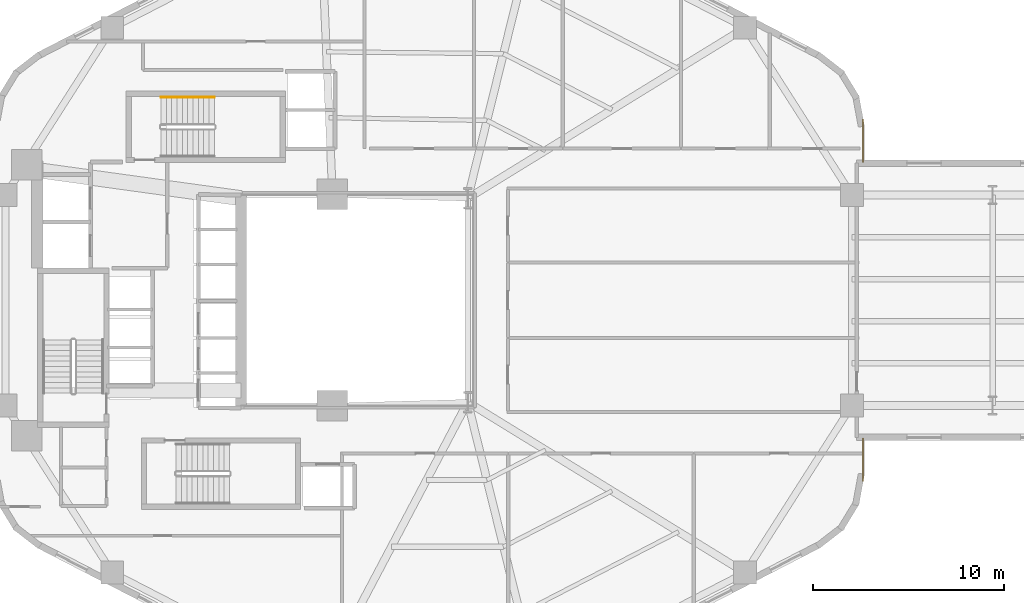
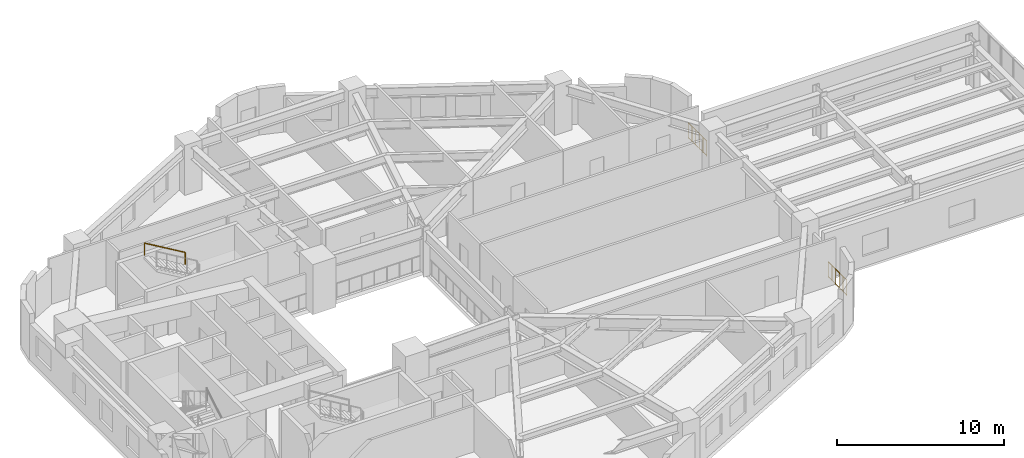
# One storey, part 10 of 10: 3 railings.
"""IFC4 building model written with IfcOpenShell, lengths in metres."""

from ifc_helpers import new_model, si_unit, direction, frame, origin, origin_2d, place, context, subcontext, project, spatial, circle, extrude, material, type_object, element, save


model = new_model("IFC4")

# Units and contexts
model_context = context("Model", 3, precision=1e-05, world=origin(), true_north=direction((0.0, 1.0)))
body_context = subcontext(model_context, "Body", "Model", "MODEL_VIEW")
ifc_project = project(units=[si_unit("LENGTHUNIT", "METRE"), si_unit("AREAUNIT", "SQUARE_METRE"), si_unit("VOLUMEUNIT", "CUBIC_METRE"), si_unit("PLANEANGLEUNIT", "RADIAN"), si_unit("MASSUNIT", "GRAM", prefix="KILO"), si_unit("THERMODYNAMICTEMPERATUREUNIT", "KELVIN"), si_unit("POWERUNIT", "WATT")], contexts=[model_context])

# Site, building, storey
site_placement = place(None, origin())
site = spatial("IfcSite", under=ifc_project, at=site_placement, CompositionType="ELEMENT")
building_placement = place(site_placement, origin())
building = spatial("IfcBuilding", under=site, at=building_placement, Name="Skarre Station Tower", CompositionType="ELEMENT")
storey_placement = place(building_placement, frame((0.0, 0.0, 52.550048828125)))
storey = spatial("IfcBuildingStorey", under=building, at=storey_placement, Name="L13", CompositionType="ELEMENT", Elevation=52.550048828125)

# Railings
ifc_material_1 = material(Name="Stainless Steel Grade 316L & Laminated Safety Glass", Category="steel")
railing_type_1 = type_object("IfcRailingType", Name="Laminated Glass & Stainless Terrace Guardrail 1150", PredefinedType="BALUSTRADE", material=ifc_material_1)
for number, where, name in (
    (1, (60.193115234375, 33.47607421875, 0.0), "L13 SB-1 Shoulder Ledge Guardrail 1"),
    (2, (60.193115234375, 16.72998046875, 0.0), "L13 SB-1 Shoulder Ledge Guardrail 2"),
):
    element("IfcRailing", number, at=place(storey_placement, frame(where)), inside=storey, type_object=railing_type_1, Name=name, PredefinedType="BALUSTRADE", context=body_context, shape_type="SweptSolid", body=[
        extrude(circle(Radius=0.02392578125, at=origin_2d()), frame((0.0, 0.0, 1.1259765625), z_axis=(0.0, -1.0, 0.0), x_axis=(1.0, 0.0, 0.0)), (0.0, 0.0, 1.0), 2.2060546875),
        extrude(circle(Radius=0.02099609375, at=origin_2d()), frame((0.0, 0.0, 0.06005859375), z_axis=(0.0, -1.0, 0.0), x_axis=(1.0, 0.0, 0.0)), (0.0, 0.0, 1.0), 2.2060546875),
        extrude(circle(Radius=0.02099609375, at=origin_2d()), origin(), (0.0, 0.0, 1.0), 1.101806640625),
        extrude(circle(Radius=0.02099609375, at=origin_2d()), frame((0.0, -0.441162109375, 0.0)), (0.0, 0.0, 1.0), 1.101806640625),
        extrude(circle(Radius=0.02099609375, at=origin_2d()), frame((0.0, -0.88232421875, 0.0)), (0.0, 0.0, 1.0), 1.101806640625),
        extrude(circle(Radius=0.02099609375, at=origin_2d()), frame((0.0, -1.32373046875, 0.0)), (0.0, 0.0, 1.0), 1.101806640625),
        extrude(circle(Radius=0.02099609375, at=origin_2d()), frame((0.0, -1.764892578125, 0.0)), (0.0, 0.0, 1.0), 1.101806640625),
        extrude(circle(Radius=0.02099609375, at=origin_2d()), frame((0.0, -2.2060546875, 0.0)), (0.0, 0.0, 1.0), 1.101806640625),
    ])
ifc_material_2 = material(Name="Powder-Coated Tubular Steel", Category="steel")
railing_type_2 = type_object("IfcRailingType", Name="Painted Steel Ramp & Stair Handrail 920", PredefinedType="HANDRAIL", material=ifc_material_2)
railing_placement = place(storey_placement, frame((26.14990234375, 34.64990234375, 1.990966796875)))
element("IfcRailing", 3, at=railing_placement, inside=storey, type_object=railing_type_2, Name="L13 ST-3 stair handrail 2", PredefinedType="HANDRAIL", context=body_context, shape_type="SweptSolid", body=[
    extrude(circle(Radius=0.02392578125, at=origin_2d()), frame((0.0, 0.0, 0.8759765625), z_axis=(-0.860319559791, 0.0, 0.509755093197), x_axis=(0.0, -1.0, 0.0)), (0.0, 0.0, 1.0), 3.25439453125),
    extrude(circle(Radius=0.02099609375, at=origin_2d()), origin(), (0.0, 0.0, 1.0), 0.851806640625),
    extrude(circle(Radius=0.02099609375, at=origin_2d()), frame((-2.7998046875, 0.0, 1.658935546875)), (0.0, 0.0, 1.0), 0.851806640625),
])

save(model, "model.ifc")
